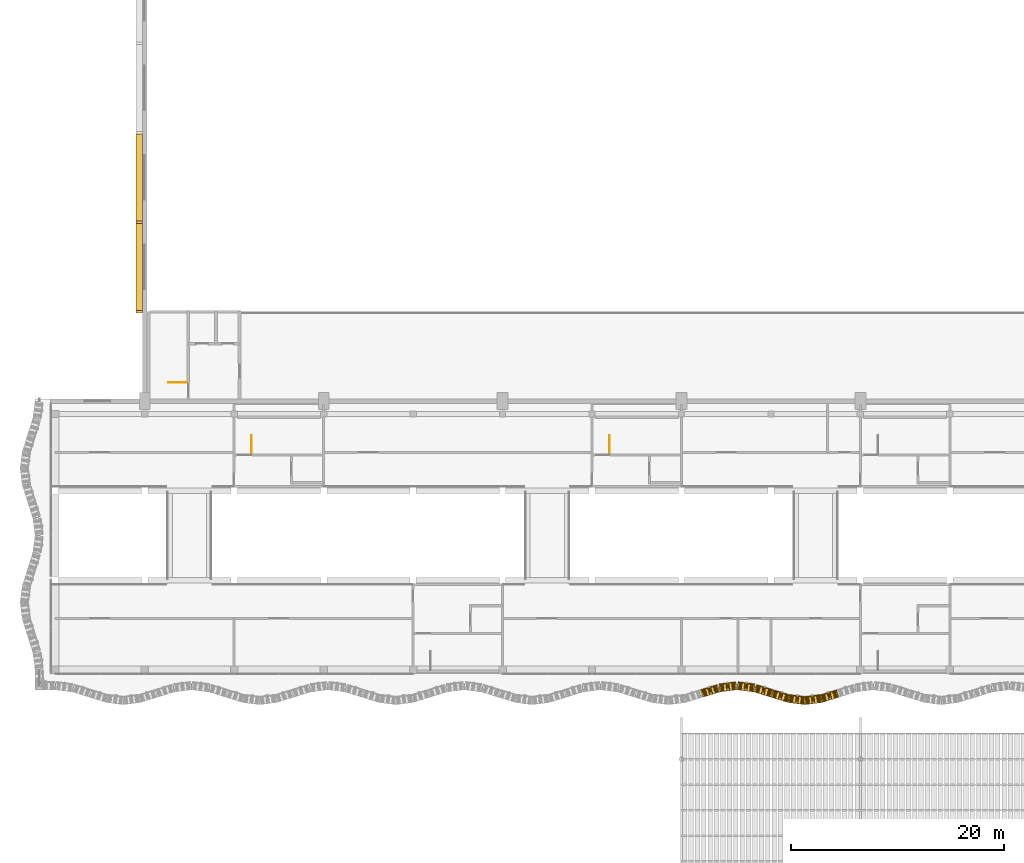
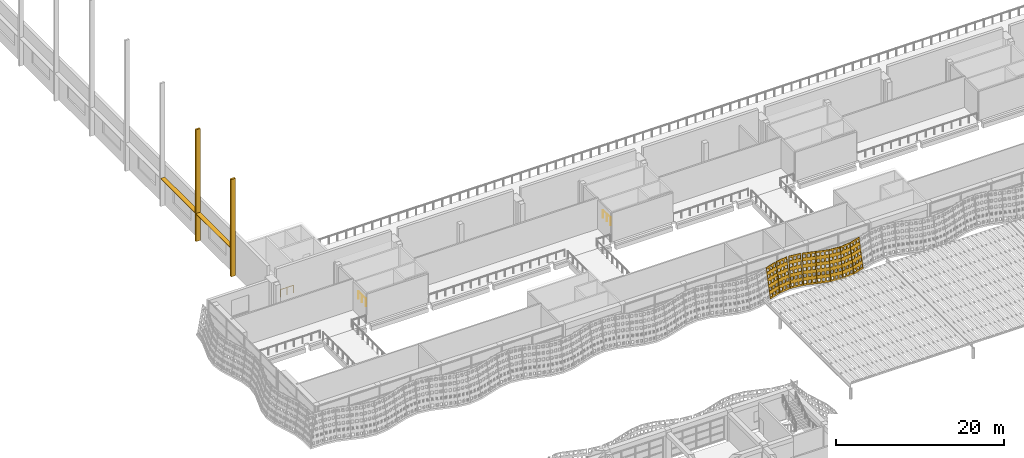
# One storey, part 136 of 162: 10 coverings, 3 railings, 2 shading devices.
"""IFC4 building model written with IfcOpenShell, lengths in metres."""

from ifc_helpers import new_model, si_unit, direction, frame, origin, origin_2d, place, context, subcontext, project, spatial, polyline, rectangle, circle, outline, extrude, material, layer, layer_set, type_object, element, save


model = new_model("IFC4")

# Units and contexts
model_context = context("Model", 3, precision=1e-05, world=origin(), true_north=direction((0.0, 1.0)))
body_context = subcontext(model_context, "Body", "Model", "MODEL_VIEW")
ifc_project = project(units=[si_unit("LENGTHUNIT", "METRE"), si_unit("AREAUNIT", "SQUARE_METRE"), si_unit("VOLUMEUNIT", "CUBIC_METRE"), si_unit("PLANEANGLEUNIT", "RADIAN"), si_unit("MASSUNIT", "GRAM", prefix="KILO")], contexts=[model_context])

# Site, building, storey
site_placement = place(None, origin())
site = spatial("IfcSite", under=ifc_project, at=site_placement, CompositionType="ELEMENT")
building_placement = place(site_placement, origin())
building = spatial("IfcBuilding", under=site, at=building_placement, Name="Rain Tree Exposition and Congress Centre", CompositionType="ELEMENT")
storey_placement = place(building_placement, frame((0.0, 0.0, 6.0)))
storey = spatial("IfcBuildingStorey", under=building, at=storey_placement, Name="L01", CompositionType="ELEMENT", Elevation=6.0)

# Railings
ifc_material_1 = material(Name="Aluminium and glass balustrade", Category="aluminium")
railing_type_1 = type_object("IfcRailingType", Name="Concourse guard 1100", PredefinedType="GUARDRAIL", material=ifc_material_1)
for number, where, name in (
    (1, (18.449951171875, 95.85009765625, 0.0), "L01 ST-C7 top well guard 1"),
    (2, (52.050048828125, 95.85009765625, 0.0), "L01 ST-C8 top well guard 1"),
):
    element("IfcRailing", number, at=place(storey_placement, frame(where)), inside=storey, type_object=railing_type_1, Name=name, PredefinedType="GUARDRAIL", context=body_context, shape_type="SweptSolid", body=[
        extrude(circle(Radius=0.02392578125, at=origin_2d()), frame((0.0, 0.0, 1.076171875), z_axis=(0.0, 1.0, 0.0), x_axis=(-1.0, 0.0, 0.0)), (0.0, 0.0, 1.0), 1.75),
        extrude(circle(Radius=0.02099609375, at=origin_2d()), origin(), (0.0, 0.0, 1.0), 1.052001953125),
        extrude(circle(Radius=0.02099609375, at=origin_2d()), frame((0.0, 0.875, 0.0)), (0.0, 0.0, 1.0), 1.052001953125),
        extrude(circle(Radius=0.02099609375, at=origin_2d()), frame((0.0, 1.75, 0.0)), (0.0, 0.0, 1.0), 1.052001953125),
    ])

# Coverings
ifc_material_2 = material(Name="Precast concrete C50/60", Category="concrete")
ifc_layer_1 = layer(ifc_material_2, 0.25)
ifc_layer_set_1 = layer_set([ifc_layer_1], Name="Precast concrete C50/60")
covering_type_1 = type_object("IfcCoveringType", Name="Gable face fin 250x600", PredefinedType="CLADDING", material=ifc_layer_set_1)
covering_1_placement = place(storey_placement, frame((7.89990234375, 109.199951171875, 0.0), z_axis=(0.0, 0.0, 1.0), x_axis=(1.0, 0.0, 0.0)))
element("IfcCovering", 3, at=covering_1_placement, inside=storey, type_object=covering_type_1, Name="Gable fin 1", PredefinedType="CLADDING", context=body_context, shape_type="SweptSolid", body=[
    extrude(rectangle(XDim=0.60009765625, YDim=0.25, at=origin_2d()), origin(), (0.0, 0.0, 1.0), 14.127685546875),
])
covering_2_placement = place(storey_placement, frame((7.89990234375, 117.60009765625, 0.0), z_axis=(0.0, 0.0, 1.0), x_axis=(1.0, 0.0, 0.0)))
element("IfcCovering", 4, at=covering_2_placement, inside=storey, type_object=covering_type_1, Name="Gable fin 2", PredefinedType="CLADDING", context=body_context, shape_type="SweptSolid", body=[
    extrude(rectangle(XDim=0.60009765625, YDim=0.25, at=origin_2d()), origin(), (0.0, 0.0, 1.0), 16.24267578125),
])

# Railing
ifc_material_3 = material(Name="Steel S355J2H", Category="steel")
railing_type_2 = type_object("IfcRailingType", Name="Stair guard 1100", PredefinedType="GUARDRAIL", material=ifc_material_3)
railing_placement = place(storey_placement, frame((12.375, 102.550048828125, 0.0)))
element("IfcRailing", 5, at=railing_placement, inside=storey, type_object=railing_type_2, Name="L01 ST-H1 top well guard 1", PredefinedType="GUARDRAIL", context=body_context, shape_type="SweptSolid", body=[
    extrude(circle(Radius=0.02392578125, at=origin_2d()), frame((0.0, 0.0, 1.076171875), z_axis=(-1.0, 0.0, 0.0), x_axis=(0.0, -1.0, 0.0)), (0.0, 0.0, 1.0), 1.75),
    extrude(circle(Radius=0.02099609375, at=origin_2d()), origin(), (0.0, 0.0, 1.0), 1.052001953125),
    extrude(circle(Radius=0.02099609375, at=origin_2d()), frame((-0.875, 0.0, 0.0)), (0.0, 0.0, 1.0), 1.052001953125),
    extrude(circle(Radius=0.02099609375, at=origin_2d()), frame((-1.75, 0.0, 0.0)), (0.0, 0.0, 1.0), 1.052001953125),
])

# Shading devices
ifc_material_4 = material(Name="Aluminium", Category="aluminium")
ifc_layer_2 = layer(ifc_material_4, 0.06005859375)
ifc_layer_set_2 = layer_set([ifc_layer_2], Name="Aluminium")
shading_device_type = type_object("IfcShadingDeviceType", Name="Sun blade 60x600", PredefinedType="JALOUSIE", material=ifc_layer_set_2)
for number, where, z_axis, x_axis, name in (
    (6, (7.89990234375, 113.39990234375, 4.050048828125), (0.0, 0.0, 1.0), (1.0, 0.0, 0.0), "Gable sun blade 1"),
    (7, (7.89990234375, 121.800048828125, 4.050048828125), (0.0, 0.0, 1.0), (1.0, 0.0, 0.0), "Gable sun blade 2"),
):
    element("IfcShadingDevice", number, at=place(storey_placement, frame(where, z_axis=z_axis, x_axis=x_axis)), inside=storey, type_object=shading_device_type, Name=name, PredefinedType="JALOUSIE", context=body_context, shape_type="SweptSolid", body=[
        extrude(rectangle(XDim=0.60009765625, YDim=8.14990234375, at=origin_2d()), origin(), (0.0, 0.0, 1.0), 0.06005859375),
    ])

# Coverings
ifc_material_5 = material(Name="Perforated terracotta", Category="masonry")
ifc_layer_3 = layer(ifc_material_5, 0.080078125)
ifc_layer_set_3 = layer_set([ifc_layer_3], Name="Perforated terracotta")
covering_type_2 = type_object("IfcCoveringType", Name="Terracotta screen 80", PredefinedType="CLADDING", material=ifc_layer_set_3)
covering_3_placement = place(storey_placement, frame((60.79931640625, 73.001708984375, 0.0126953125), z_axis=(-0.290138898064, 0.943714942124, -0.158812870519), x_axis=(-0.955845867297, -0.293868470528, 0.0)))
element("IfcCovering", 8, at=covering_3_placement, inside=storey, type_object=covering_type_2, Name="concourse/screen/L01/039", PredefinedType="CLADDING", context=body_context, shape_type="SweptSolid", body=[
    extrude(outline(polyline([(-1.659912109375, 0.0), (-1.659912109375, 4.29150390625), (-0.014892578125, 4.29150390625), (-0.014892578125, 0.0), (-1.659912109375, 0.0)]), holes=[polyline([(-0.119140625, 0.221435546875), (-0.119140625, 0.63671875), (-0.458984375, 0.63671875), (-0.458984375, 0.221435546875), (-0.119140625, 0.221435546875)]), polyline([(-0.119140625, 1.079833984375), (-0.119140625, 1.4951171875), (-0.458984375, 1.4951171875), (-0.458984375, 1.079833984375), (-0.119140625, 1.079833984375)]), polyline([(-0.119140625, 1.93798828125), (-0.119140625, 2.353271484375), (-0.458984375, 2.353271484375), (-0.458984375, 1.93798828125), (-0.119140625, 1.93798828125)]), polyline([(-0.119140625, 2.79638671875), (-0.119140625, 3.211669921875), (-0.458984375, 3.211669921875), (-0.458984375, 2.79638671875), (-0.119140625, 2.79638671875)]), polyline([(-0.119140625, 3.654541015625), (-0.119140625, 4.06982421875), (-0.458984375, 4.06982421875), (-0.458984375, 3.654541015625), (-0.119140625, 3.654541015625)]), polyline([(-0.66748046875, 0.221435546875), (-0.66748046875, 0.63671875), (-1.00732421875, 0.63671875), (-1.00732421875, 0.221435546875), (-0.66748046875, 0.221435546875)]), polyline([(-0.66748046875, 1.079833984375), (-0.66748046875, 1.4951171875), (-1.00732421875, 1.4951171875), (-1.00732421875, 1.079833984375), (-0.66748046875, 1.079833984375)]), polyline([(-0.66748046875, 1.93798828125), (-0.66748046875, 2.353271484375), (-1.00732421875, 2.353271484375), (-1.00732421875, 1.93798828125), (-0.66748046875, 1.93798828125)]), polyline([(-0.66748046875, 2.79638671875), (-0.66748046875, 3.211669921875), (-1.00732421875, 3.211669921875), (-1.00732421875, 2.79638671875), (-0.66748046875, 2.79638671875)]), polyline([(-0.66748046875, 3.654541015625), (-0.66748046875, 4.06982421875), (-1.00732421875, 4.06982421875), (-1.00732421875, 3.654541015625), (-0.66748046875, 3.654541015625)]), polyline([(-1.2158203125, 0.221435546875), (-1.2158203125, 0.63671875), (-1.5556640625, 0.63671875), (-1.5556640625, 0.221435546875), (-1.2158203125, 0.221435546875)]), polyline([(-1.2158203125, 1.079833984375), (-1.2158203125, 1.4951171875), (-1.5556640625, 1.4951171875), (-1.5556640625, 1.079833984375), (-1.2158203125, 1.079833984375)]), polyline([(-1.2158203125, 1.93798828125), (-1.2158203125, 2.353271484375), (-1.5556640625, 2.353271484375), (-1.5556640625, 1.93798828125), (-1.2158203125, 1.93798828125)]), polyline([(-1.2158203125, 2.79638671875), (-1.2158203125, 3.211669921875), (-1.5556640625, 3.211669921875), (-1.5556640625, 2.79638671875), (-1.2158203125, 2.79638671875)]), polyline([(-1.2158203125, 3.654541015625), (-1.2158203125, 4.06982421875), (-1.5556640625, 4.06982421875), (-1.5556640625, 3.654541015625), (-1.2158203125, 3.654541015625)])]), origin(), (0.0, 0.0, 1.0), 0.079833984375),
])
covering_4_placement = place(storey_placement, frame((62.399658203125, 73.496826171875, 0.01318359375), z_axis=(-0.124968640969, 0.978413018317, -0.164592844203), x_axis=(-0.991941518713, -0.126696580272, 0.0)))
element("IfcCovering", 9, at=covering_4_placement, inside=storey, type_object=covering_type_2, Name="concourse/screen/L01/040", PredefinedType="CLADDING", context=body_context, shape_type="SweptSolid", body=[
    extrude(outline(polyline([(-1.59814453125, 0.0), (-1.59814453125, 4.295166015625), (-0.014892578125, 4.295166015625), (-0.014892578125, 0.0), (-1.59814453125, 0.0)]), holes=[polyline([(-0.115234375, 0.2216796875), (-0.115234375, 0.63720703125), (-0.4423828125, 0.63720703125), (-0.4423828125, 0.2216796875), (-0.115234375, 0.2216796875)]), polyline([(-0.115234375, 1.080810546875), (-0.115234375, 1.496337890625), (-0.4423828125, 1.496337890625), (-0.4423828125, 1.080810546875), (-0.115234375, 1.080810546875)]), polyline([(-0.115234375, 1.939697265625), (-0.115234375, 2.35546875), (-0.4423828125, 2.35546875), (-0.4423828125, 1.939697265625), (-0.115234375, 1.939697265625)]), polyline([(-0.115234375, 2.798583984375), (-0.115234375, 3.21435546875), (-0.4423828125, 3.21435546875), (-0.4423828125, 2.798583984375), (-0.115234375, 2.798583984375)]), polyline([(-0.115234375, 3.65771484375), (-0.115234375, 4.073486328125), (-0.4423828125, 4.073486328125), (-0.4423828125, 3.65771484375), (-0.115234375, 3.65771484375)]), polyline([(-0.64306640625, 0.2216796875), (-0.64306640625, 0.63720703125), (-0.97021484375, 0.63720703125), (-0.97021484375, 0.2216796875), (-0.64306640625, 0.2216796875)]), polyline([(-0.64306640625, 1.080810546875), (-0.64306640625, 1.496337890625), (-0.97021484375, 1.496337890625), (-0.97021484375, 1.080810546875), (-0.64306640625, 1.080810546875)]), polyline([(-0.64306640625, 1.939697265625), (-0.64306640625, 2.35546875), (-0.97021484375, 2.35546875), (-0.97021484375, 1.939697265625), (-0.64306640625, 1.939697265625)]), polyline([(-0.64306640625, 2.798583984375), (-0.64306640625, 3.21435546875), (-0.97021484375, 3.21435546875), (-0.97021484375, 2.798583984375), (-0.64306640625, 2.798583984375)]), polyline([(-0.64306640625, 3.65771484375), (-0.64306640625, 4.073486328125), (-0.97021484375, 4.073486328125), (-0.97021484375, 3.65771484375), (-0.64306640625, 3.65771484375)]), polyline([(-1.170654296875, 0.2216796875), (-1.170654296875, 0.63720703125), (-1.497802734375, 0.63720703125), (-1.497802734375, 0.2216796875), (-1.170654296875, 0.2216796875)]), polyline([(-1.170654296875, 1.080810546875), (-1.170654296875, 1.496337890625), (-1.497802734375, 1.496337890625), (-1.497802734375, 1.080810546875), (-1.170654296875, 1.080810546875)]), polyline([(-1.170654296875, 1.939697265625), (-1.170654296875, 2.35546875), (-1.497802734375, 2.35546875), (-1.497802734375, 1.939697265625), (-1.170654296875, 1.939697265625)]), polyline([(-1.170654296875, 2.798583984375), (-1.170654296875, 3.21435546875), (-1.497802734375, 3.21435546875), (-1.497802734375, 2.798583984375), (-1.170654296875, 2.798583984375)]), polyline([(-1.170654296875, 3.65771484375), (-1.170654296875, 4.073486328125), (-1.497802734375, 4.073486328125), (-1.497802734375, 3.65771484375), (-1.170654296875, 3.65771484375)])]), origin(), (0.0, 0.0, 1.0), 0.080078125),
])
covering_5_placement = place(storey_placement, frame((64.000244140625, 73.701904296875, 0.01318359375), z_axis=(0.125342414455, 0.978282259159, -0.165085131233), x_axis=(-0.991891686382, 0.127086122318, 0.0)))
element("IfcCovering", 10, at=covering_5_placement, inside=storey, type_object=covering_type_2, Name="concourse/screen/L01/041", PredefinedType="CLADDING", context=body_context, shape_type="SweptSolid", body=[
    extrude(outline(polyline([(-1.59814453125, 0.0), (-1.59814453125, 4.295166015625), (-0.014892578125, 4.295166015625), (-0.014892578125, 0.0), (-1.59814453125, 0.0)]), holes=[polyline([(-0.115234375, 0.2216796875), (-0.115234375, 0.63720703125), (-0.4423828125, 0.63720703125), (-0.4423828125, 0.2216796875), (-0.115234375, 0.2216796875)]), polyline([(-0.115234375, 1.080810546875), (-0.115234375, 1.496337890625), (-0.4423828125, 1.496337890625), (-0.4423828125, 1.080810546875), (-0.115234375, 1.080810546875)]), polyline([(-0.115234375, 1.939697265625), (-0.115234375, 2.35546875), (-0.4423828125, 2.35546875), (-0.4423828125, 1.939697265625), (-0.115234375, 1.939697265625)]), polyline([(-0.115234375, 2.798583984375), (-0.115234375, 3.21435546875), (-0.4423828125, 3.21435546875), (-0.4423828125, 2.798583984375), (-0.115234375, 2.798583984375)]), polyline([(-0.115234375, 3.65771484375), (-0.115234375, 4.073486328125), (-0.4423828125, 4.073486328125), (-0.4423828125, 3.65771484375), (-0.115234375, 3.65771484375)]), polyline([(-0.64306640625, 0.2216796875), (-0.64306640625, 0.63720703125), (-0.97021484375, 0.63720703125), (-0.97021484375, 0.2216796875), (-0.64306640625, 0.2216796875)]), polyline([(-0.64306640625, 1.080810546875), (-0.64306640625, 1.496337890625), (-0.97021484375, 1.496337890625), (-0.97021484375, 1.080810546875), (-0.64306640625, 1.080810546875)]), polyline([(-0.64306640625, 1.939697265625), (-0.64306640625, 2.35546875), (-0.97021484375, 2.35546875), (-0.97021484375, 1.939697265625), (-0.64306640625, 1.939697265625)]), polyline([(-0.64306640625, 2.798583984375), (-0.64306640625, 3.21435546875), (-0.97021484375, 3.21435546875), (-0.97021484375, 2.798583984375), (-0.64306640625, 2.798583984375)]), polyline([(-0.64306640625, 3.65771484375), (-0.64306640625, 4.073486328125), (-0.97021484375, 4.073486328125), (-0.97021484375, 3.65771484375), (-0.64306640625, 3.65771484375)]), polyline([(-1.170654296875, 0.2216796875), (-1.170654296875, 0.63720703125), (-1.497802734375, 0.63720703125), (-1.497802734375, 0.2216796875), (-1.170654296875, 0.2216796875)]), polyline([(-1.170654296875, 1.080810546875), (-1.170654296875, 1.496337890625), (-1.497802734375, 1.496337890625), (-1.497802734375, 1.080810546875), (-1.170654296875, 1.080810546875)]), polyline([(-1.170654296875, 1.939697265625), (-1.170654296875, 2.35546875), (-1.497802734375, 2.35546875), (-1.497802734375, 1.939697265625), (-1.170654296875, 1.939697265625)]), polyline([(-1.170654296875, 2.798583984375), (-1.170654296875, 3.21435546875), (-1.497802734375, 3.21435546875), (-1.497802734375, 2.798583984375), (-1.170654296875, 2.798583984375)]), polyline([(-1.170654296875, 3.65771484375), (-1.170654296875, 4.073486328125), (-1.497802734375, 4.073486328125), (-1.497802734375, 3.65771484375), (-1.170654296875, 3.65771484375)])]), origin(), (0.0, 0.0, 1.0), 0.079833984375),
])
covering_6_placement = place(storey_placement, frame((65.6005859375, 73.49658203125, 0.0126953125), z_axis=(0.290138898064, 0.943714942124, -0.158812870519), x_axis=(-0.955845867297, 0.293868470528, 0.0)))
element("IfcCovering", 11, at=covering_6_placement, inside=storey, type_object=covering_type_2, Name="concourse/screen/L01/042", PredefinedType="CLADDING", context=body_context, shape_type="SweptSolid", body=[
    extrude(outline(polyline([(-1.659912109375, 0.0), (-1.659912109375, 4.29150390625), (-0.014892578125, 4.29150390625), (-0.014892578125, 0.0), (-1.659912109375, 0.0)]), holes=[polyline([(-0.119140625, 0.221435546875), (-0.119140625, 0.63671875), (-0.458984375, 0.63671875), (-0.458984375, 0.221435546875), (-0.119140625, 0.221435546875)]), polyline([(-0.119140625, 1.079833984375), (-0.119140625, 1.4951171875), (-0.458984375, 1.4951171875), (-0.458984375, 1.079833984375), (-0.119140625, 1.079833984375)]), polyline([(-0.119140625, 1.93798828125), (-0.119140625, 2.353271484375), (-0.458984375, 2.353271484375), (-0.458984375, 1.93798828125), (-0.119140625, 1.93798828125)]), polyline([(-0.119140625, 2.79638671875), (-0.119140625, 3.211669921875), (-0.458984375, 3.211669921875), (-0.458984375, 2.79638671875), (-0.119140625, 2.79638671875)]), polyline([(-0.119140625, 3.654541015625), (-0.119140625, 4.06982421875), (-0.458984375, 4.06982421875), (-0.458984375, 3.654541015625), (-0.119140625, 3.654541015625)]), polyline([(-0.66748046875, 0.221435546875), (-0.66748046875, 0.63671875), (-1.00732421875, 0.63671875), (-1.00732421875, 0.221435546875), (-0.66748046875, 0.221435546875)]), polyline([(-0.66748046875, 1.079833984375), (-0.66748046875, 1.4951171875), (-1.00732421875, 1.4951171875), (-1.00732421875, 1.079833984375), (-0.66748046875, 1.079833984375)]), polyline([(-0.66748046875, 1.93798828125), (-0.66748046875, 2.353271484375), (-1.00732421875, 2.353271484375), (-1.00732421875, 1.93798828125), (-0.66748046875, 1.93798828125)]), polyline([(-0.66748046875, 2.79638671875), (-0.66748046875, 3.211669921875), (-1.00732421875, 3.211669921875), (-1.00732421875, 2.79638671875), (-0.66748046875, 2.79638671875)]), polyline([(-0.66748046875, 3.654541015625), (-0.66748046875, 4.06982421875), (-1.00732421875, 4.06982421875), (-1.00732421875, 3.654541015625), (-0.66748046875, 3.654541015625)]), polyline([(-1.2158203125, 0.221435546875), (-1.2158203125, 0.63671875), (-1.5556640625, 0.63671875), (-1.5556640625, 0.221435546875), (-1.2158203125, 0.221435546875)]), polyline([(-1.2158203125, 1.079833984375), (-1.2158203125, 1.4951171875), (-1.5556640625, 1.4951171875), (-1.5556640625, 1.079833984375), (-1.2158203125, 1.079833984375)]), polyline([(-1.2158203125, 1.93798828125), (-1.2158203125, 2.353271484375), (-1.5556640625, 2.353271484375), (-1.5556640625, 1.93798828125), (-1.2158203125, 1.93798828125)]), polyline([(-1.2158203125, 2.79638671875), (-1.2158203125, 3.211669921875), (-1.5556640625, 3.211669921875), (-1.5556640625, 2.79638671875), (-1.2158203125, 2.79638671875)]), polyline([(-1.2158203125, 3.654541015625), (-1.2158203125, 4.06982421875), (-1.5556640625, 4.06982421875), (-1.5556640625, 3.654541015625), (-1.2158203125, 3.654541015625)])]), origin(), (0.0, 0.0, 1.0), 0.079833984375),
])
covering_7_placement = place(storey_placement, frame((67.20068359375, 73.001708984375, 0.0126953125), z_axis=(0.290138898064, 0.943714942124, -0.158812870519), x_axis=(-0.955845867297, 0.293868470528, 0.0)))
element("IfcCovering", 12, at=covering_7_placement, inside=storey, type_object=covering_type_2, Name="concourse/screen/L01/043", PredefinedType="CLADDING", context=body_context, shape_type="SweptSolid", body=[
    extrude(outline(polyline([(-1.65283203125, 0.0), (-1.65283203125, 4.29150390625), (-0.014892578125, 4.29150390625), (-0.014892578125, 0.0), (-1.65283203125, 0.0)]), holes=[polyline([(-0.11865234375, 0.221435546875), (-0.11865234375, 0.63671875), (-0.457275390625, 0.63671875), (-0.457275390625, 0.221435546875), (-0.11865234375, 0.221435546875)]), polyline([(-0.11865234375, 1.079833984375), (-0.11865234375, 1.4951171875), (-0.457275390625, 1.4951171875), (-0.457275390625, 1.079833984375), (-0.11865234375, 1.079833984375)]), polyline([(-0.11865234375, 1.93798828125), (-0.11865234375, 2.353271484375), (-0.457275390625, 2.353271484375), (-0.457275390625, 1.93798828125), (-0.11865234375, 1.93798828125)]), polyline([(-0.11865234375, 2.79638671875), (-0.11865234375, 3.211669921875), (-0.457275390625, 3.211669921875), (-0.457275390625, 2.79638671875), (-0.11865234375, 2.79638671875)]), polyline([(-0.11865234375, 3.654541015625), (-0.11865234375, 4.06982421875), (-0.457275390625, 4.06982421875), (-0.457275390625, 3.654541015625), (-0.11865234375, 3.654541015625)]), polyline([(-0.664794921875, 0.221435546875), (-0.664794921875, 0.63671875), (-1.003173828125, 0.63671875), (-1.003173828125, 0.221435546875), (-0.664794921875, 0.221435546875)]), polyline([(-0.664794921875, 1.079833984375), (-0.664794921875, 1.4951171875), (-1.003173828125, 1.4951171875), (-1.003173828125, 1.079833984375), (-0.664794921875, 1.079833984375)]), polyline([(-0.664794921875, 1.93798828125), (-0.664794921875, 2.353271484375), (-1.003173828125, 2.353271484375), (-1.003173828125, 1.93798828125), (-0.664794921875, 1.93798828125)]), polyline([(-0.664794921875, 2.79638671875), (-0.664794921875, 3.211669921875), (-1.003173828125, 3.211669921875), (-1.003173828125, 2.79638671875), (-0.664794921875, 2.79638671875)]), polyline([(-0.664794921875, 3.654541015625), (-0.664794921875, 4.06982421875), (-1.003173828125, 4.06982421875), (-1.003173828125, 3.654541015625), (-0.664794921875, 3.654541015625)]), polyline([(-1.210693359375, 0.221435546875), (-1.210693359375, 0.63671875), (-1.54931640625, 0.63671875), (-1.54931640625, 0.221435546875), (-1.210693359375, 0.221435546875)]), polyline([(-1.210693359375, 1.079833984375), (-1.210693359375, 1.4951171875), (-1.54931640625, 1.4951171875), (-1.54931640625, 1.079833984375), (-1.210693359375, 1.079833984375)]), polyline([(-1.210693359375, 1.93798828125), (-1.210693359375, 2.353271484375), (-1.54931640625, 2.353271484375), (-1.54931640625, 1.93798828125), (-1.210693359375, 1.93798828125)]), polyline([(-1.210693359375, 2.79638671875), (-1.210693359375, 3.211669921875), (-1.54931640625, 3.211669921875), (-1.54931640625, 2.79638671875), (-1.210693359375, 2.79638671875)]), polyline([(-1.210693359375, 3.654541015625), (-1.210693359375, 4.06982421875), (-1.54931640625, 4.06982421875), (-1.54931640625, 3.654541015625), (-1.210693359375, 3.654541015625)])]), origin(), (0.0, 0.0, 1.0), 0.079833984375),
])
covering_8_placement = place(storey_placement, frame((68.80029296875, 72.5068359375, 0.01318359375), z_axis=(0.124968640969, 0.978413018317, -0.164592844203), x_axis=(-0.991941518713, 0.126696580272, 0.0)))
element("IfcCovering", 13, at=covering_8_placement, inside=storey, type_object=covering_type_2, Name="concourse/screen/L01/044", PredefinedType="CLADDING", context=body_context, shape_type="SweptSolid", body=[
    extrude(outline(polyline([(-1.587890625, 0.0), (-1.587890625, 4.295166015625), (-0.02197265625, 4.295166015625), (-0.02197265625, 0.0), (-1.587890625, 0.0)]), holes=[polyline([(-0.12109375, 0.2216796875), (-0.12109375, 0.63720703125), (-0.444580078125, 0.63720703125), (-0.444580078125, 0.2216796875), (-0.12109375, 0.2216796875)]), polyline([(-0.12109375, 1.080810546875), (-0.12109375, 1.496337890625), (-0.444580078125, 1.496337890625), (-0.444580078125, 1.080810546875), (-0.12109375, 1.080810546875)]), polyline([(-0.12109375, 1.939697265625), (-0.12109375, 2.35546875), (-0.444580078125, 2.35546875), (-0.444580078125, 1.939697265625), (-0.12109375, 1.939697265625)]), polyline([(-0.12109375, 2.798583984375), (-0.12109375, 3.21435546875), (-0.444580078125, 3.21435546875), (-0.444580078125, 2.798583984375), (-0.12109375, 2.798583984375)]), polyline([(-0.12109375, 3.65771484375), (-0.12109375, 4.073486328125), (-0.444580078125, 4.073486328125), (-0.444580078125, 3.65771484375), (-0.12109375, 3.65771484375)]), polyline([(-0.64306640625, 0.2216796875), (-0.64306640625, 0.63720703125), (-0.966796875, 0.63720703125), (-0.966796875, 0.2216796875), (-0.64306640625, 0.2216796875)]), polyline([(-0.64306640625, 1.080810546875), (-0.64306640625, 1.496337890625), (-0.966796875, 1.496337890625), (-0.966796875, 1.080810546875), (-0.64306640625, 1.080810546875)]), polyline([(-0.64306640625, 1.939697265625), (-0.64306640625, 2.35546875), (-0.966796875, 2.35546875), (-0.966796875, 1.939697265625), (-0.64306640625, 1.939697265625)]), polyline([(-0.64306640625, 2.798583984375), (-0.64306640625, 3.21435546875), (-0.966796875, 3.21435546875), (-0.966796875, 2.798583984375), (-0.64306640625, 2.798583984375)]), polyline([(-0.64306640625, 3.65771484375), (-0.64306640625, 4.073486328125), (-0.966796875, 4.073486328125), (-0.966796875, 3.65771484375), (-0.64306640625, 3.65771484375)]), polyline([(-1.1650390625, 0.2216796875), (-1.1650390625, 0.63720703125), (-1.48876953125, 0.63720703125), (-1.48876953125, 0.2216796875), (-1.1650390625, 0.2216796875)]), polyline([(-1.1650390625, 1.080810546875), (-1.1650390625, 1.496337890625), (-1.48876953125, 1.496337890625), (-1.48876953125, 1.080810546875), (-1.1650390625, 1.080810546875)]), polyline([(-1.1650390625, 1.939697265625), (-1.1650390625, 2.35546875), (-1.48876953125, 2.35546875), (-1.48876953125, 1.939697265625), (-1.1650390625, 1.939697265625)]), polyline([(-1.1650390625, 2.798583984375), (-1.1650390625, 3.21435546875), (-1.48876953125, 3.21435546875), (-1.48876953125, 2.798583984375), (-1.1650390625, 2.798583984375)]), polyline([(-1.1650390625, 3.65771484375), (-1.1650390625, 4.073486328125), (-1.48876953125, 4.073486328125), (-1.48876953125, 3.65771484375), (-1.1650390625, 3.65771484375)])]), origin(), (0.0, 0.0, 1.0), 0.080078125),
])
covering_9_placement = place(storey_placement, frame((70.399658203125, 72.302001953125, 0.01318359375), z_axis=(-0.125342414455, 0.978282259159, -0.165085131233), x_axis=(-0.991891686382, -0.127086122318, 0.0)))
element("IfcCovering", 14, at=covering_9_placement, inside=storey, type_object=covering_type_2, Name="concourse/screen/L01/045", PredefinedType="CLADDING", context=body_context, shape_type="SweptSolid", body=[
    extrude(outline(polyline([(-1.59130859375, 0.0), (-1.59130859375, 4.295166015625), (-0.025146484375, 4.295166015625), (-0.025146484375, 0.0), (-1.59130859375, 0.0)]), holes=[polyline([(-0.12451171875, 0.2216796875), (-0.12451171875, 0.63720703125), (-0.447998046875, 0.63720703125), (-0.447998046875, 0.2216796875), (-0.12451171875, 0.2216796875)]), polyline([(-0.12451171875, 1.080810546875), (-0.12451171875, 1.496337890625), (-0.447998046875, 1.496337890625), (-0.447998046875, 1.080810546875), (-0.12451171875, 1.080810546875)]), polyline([(-0.12451171875, 1.939697265625), (-0.12451171875, 2.35546875), (-0.447998046875, 2.35546875), (-0.447998046875, 1.939697265625), (-0.12451171875, 1.939697265625)]), polyline([(-0.12451171875, 2.798583984375), (-0.12451171875, 3.21435546875), (-0.447998046875, 3.21435546875), (-0.447998046875, 2.798583984375), (-0.12451171875, 2.798583984375)]), polyline([(-0.12451171875, 3.65771484375), (-0.12451171875, 4.073486328125), (-0.447998046875, 4.073486328125), (-0.447998046875, 3.65771484375), (-0.12451171875, 3.65771484375)]), polyline([(-0.646484375, 0.2216796875), (-0.646484375, 0.63720703125), (-0.969970703125, 0.63720703125), (-0.969970703125, 0.2216796875), (-0.646484375, 0.2216796875)]), polyline([(-0.646484375, 1.080810546875), (-0.646484375, 1.496337890625), (-0.969970703125, 1.496337890625), (-0.969970703125, 1.080810546875), (-0.646484375, 1.080810546875)]), polyline([(-0.646484375, 1.939697265625), (-0.646484375, 2.35546875), (-0.969970703125, 2.35546875), (-0.969970703125, 1.939697265625), (-0.646484375, 1.939697265625)]), polyline([(-0.646484375, 2.798583984375), (-0.646484375, 3.21435546875), (-0.969970703125, 3.21435546875), (-0.969970703125, 2.798583984375), (-0.646484375, 2.798583984375)]), polyline([(-0.646484375, 3.65771484375), (-0.646484375, 4.073486328125), (-0.969970703125, 4.073486328125), (-0.969970703125, 3.65771484375), (-0.646484375, 3.65771484375)]), polyline([(-1.16845703125, 0.2216796875), (-1.16845703125, 0.63720703125), (-1.491943359375, 0.63720703125), (-1.491943359375, 0.2216796875), (-1.16845703125, 0.2216796875)]), polyline([(-1.16845703125, 1.080810546875), (-1.16845703125, 1.496337890625), (-1.491943359375, 1.496337890625), (-1.491943359375, 1.080810546875), (-1.16845703125, 1.080810546875)]), polyline([(-1.16845703125, 1.939697265625), (-1.16845703125, 2.35546875), (-1.491943359375, 2.35546875), (-1.491943359375, 1.939697265625), (-1.16845703125, 1.939697265625)]), polyline([(-1.16845703125, 2.798583984375), (-1.16845703125, 3.21435546875), (-1.491943359375, 3.21435546875), (-1.491943359375, 2.798583984375), (-1.16845703125, 2.798583984375)]), polyline([(-1.16845703125, 3.65771484375), (-1.16845703125, 4.073486328125), (-1.491943359375, 4.073486328125), (-1.491943359375, 3.65771484375), (-1.16845703125, 3.65771484375)])]), origin(), (0.0, 0.0, 1.0), 0.079833984375),
])
covering_10_placement = place(storey_placement, frame((71.99951171875, 72.506591796875, 0.0126953125), z_axis=(-0.292932171154, 0.942875425902, -0.158671592708), x_axis=(-0.954973588716, -0.296690823679, 0.0)))
element("IfcCovering", 15, at=covering_10_placement, inside=storey, type_object=covering_type_2, Name="concourse/screen/L01/046", PredefinedType="CLADDING", context=body_context, shape_type="SweptSolid", body=[
    extrude(outline(polyline([(-1.659912109375, 0.0), (-1.659912109375, 4.29150390625), (-0.02197265625, 4.29150390625), (-0.02197265625, 0.0), (-1.659912109375, 0.0)]), holes=[polyline([(-0.125732421875, 0.221435546875), (-0.125732421875, 0.63671875), (-0.464111328125, 0.63671875), (-0.464111328125, 0.221435546875), (-0.125732421875, 0.221435546875)]), polyline([(-0.125732421875, 1.079833984375), (-0.125732421875, 1.4951171875), (-0.464111328125, 1.4951171875), (-0.464111328125, 1.079833984375), (-0.125732421875, 1.079833984375)]), polyline([(-0.125732421875, 1.93798828125), (-0.125732421875, 2.353271484375), (-0.464111328125, 2.353271484375), (-0.464111328125, 1.93798828125), (-0.125732421875, 1.93798828125)]), polyline([(-0.125732421875, 2.79638671875), (-0.125732421875, 3.211669921875), (-0.464111328125, 3.211669921875), (-0.464111328125, 2.79638671875), (-0.125732421875, 2.79638671875)]), polyline([(-0.125732421875, 3.654541015625), (-0.125732421875, 4.06982421875), (-0.464111328125, 4.06982421875), (-0.464111328125, 3.654541015625), (-0.125732421875, 3.654541015625)]), polyline([(-0.671630859375, 0.221435546875), (-0.671630859375, 0.63671875), (-1.010009765625, 0.63671875), (-1.010009765625, 0.221435546875), (-0.671630859375, 0.221435546875)]), polyline([(-0.671630859375, 1.079833984375), (-0.671630859375, 1.4951171875), (-1.010009765625, 1.4951171875), (-1.010009765625, 1.079833984375), (-0.671630859375, 1.079833984375)]), polyline([(-0.671630859375, 1.93798828125), (-0.671630859375, 2.353271484375), (-1.010009765625, 2.353271484375), (-1.010009765625, 1.93798828125), (-0.671630859375, 1.93798828125)]), polyline([(-0.671630859375, 2.79638671875), (-0.671630859375, 3.211669921875), (-1.010009765625, 3.211669921875), (-1.010009765625, 2.79638671875), (-0.671630859375, 2.79638671875)]), polyline([(-0.671630859375, 3.654541015625), (-0.671630859375, 4.06982421875), (-1.010009765625, 4.06982421875), (-1.010009765625, 3.654541015625), (-0.671630859375, 3.654541015625)]), polyline([(-1.217529296875, 0.221435546875), (-1.217529296875, 0.63671875), (-1.55615234375, 0.63671875), (-1.55615234375, 0.221435546875), (-1.217529296875, 0.221435546875)]), polyline([(-1.217529296875, 1.079833984375), (-1.217529296875, 1.4951171875), (-1.55615234375, 1.4951171875), (-1.55615234375, 1.079833984375), (-1.217529296875, 1.079833984375)]), polyline([(-1.217529296875, 1.93798828125), (-1.217529296875, 2.353271484375), (-1.55615234375, 2.353271484375), (-1.55615234375, 1.93798828125), (-1.217529296875, 1.93798828125)]), polyline([(-1.217529296875, 2.79638671875), (-1.217529296875, 3.211669921875), (-1.55615234375, 3.211669921875), (-1.55615234375, 2.79638671875), (-1.217529296875, 2.79638671875)]), polyline([(-1.217529296875, 3.654541015625), (-1.217529296875, 4.06982421875), (-1.55615234375, 4.06982421875), (-1.55615234375, 3.654541015625), (-1.217529296875, 3.654541015625)])]), origin(), (0.0, 0.0, 1.0), 0.080078125),
])

save(model, "model.ifc")
